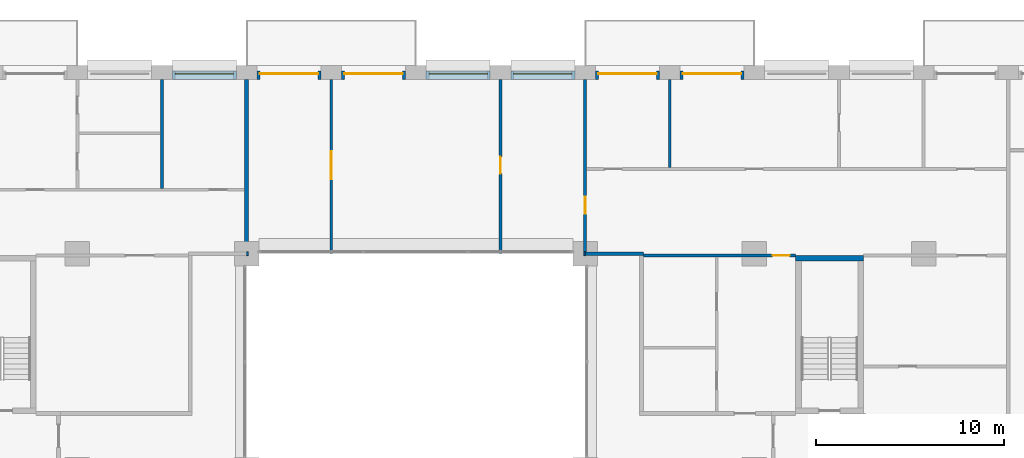
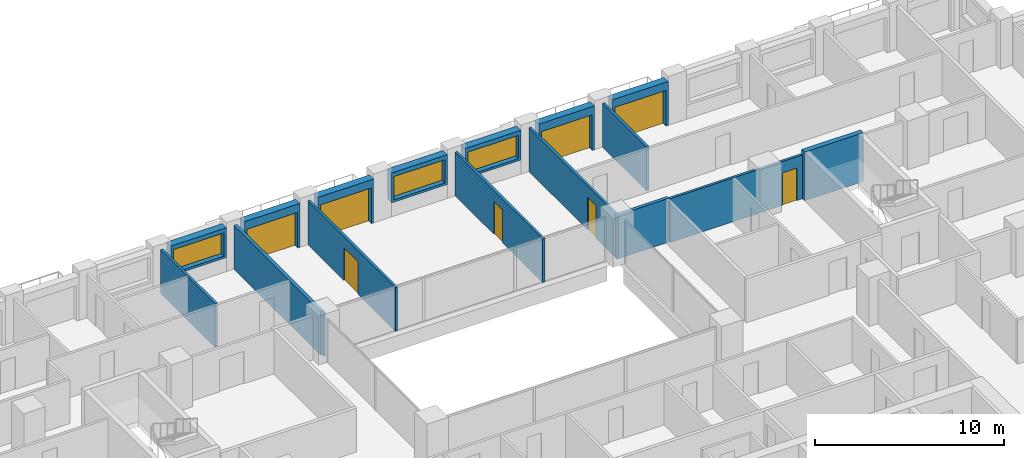
# One storey, part 13 of 16: 18 walls, 8 doors, 3 windows, 11 openings.
"""IFC4 building model written with IfcOpenShell, lengths in metres."""

from ifc_helpers import new_model, si_unit, direction, frame, frame_2d, origin, place, context, subcontext, project, spatial, rectangle, extrude, material, layer, layer_set, type_object, element, fill, save


model = new_model("IFC4")

# Units and contexts
model_context = context("Model", 3, precision=1e-05, world=origin(), true_north=direction((0.0, 1.0)))
body_context = subcontext(model_context, "Body", "Model", "MODEL_VIEW")
ifc_project = project(units=[si_unit("LENGTHUNIT", "METRE"), si_unit("AREAUNIT", "SQUARE_METRE"), si_unit("VOLUMEUNIT", "CUBIC_METRE"), si_unit("PLANEANGLEUNIT", "RADIAN"), si_unit("MASSUNIT", "GRAM", prefix="KILO")], contexts=[model_context])

# Site, building, storey
site_placement = place(None, origin())
site = spatial("IfcSite", under=ifc_project, at=site_placement, CompositionType="ELEMENT")
building_placement = place(site_placement, origin())
building = spatial("IfcBuilding", under=site, at=building_placement, Name="Brigalow Station Residences", CompositionType="ELEMENT")
storey_placement = place(building_placement, frame((0.0, 0.0, 93.0)))
storey = spatial("IfcBuildingStorey", under=building, at=storey_placement, Name="L26", CompositionType="ELEMENT", Elevation=93.0)

# Wall, opening, door
ifc_material_1 = material(Name="Clay brick masonry", Category="masonry")
ifc_layer_1 = layer(ifc_material_1, 0.449951171875)
ifc_layer_set_1 = layer_set([ifc_layer_1], Name="BRICK INFILL WALL 450")
wall_type_1 = type_object("IfcWallType", Name="BRICK INFILL WALL 450", PredefinedType="SOLIDWALL", material=ifc_layer_set_1)
wall_1_placement = place(storey_placement, frame((53.449951171875, 44.97509765625, 0.0), z_axis=(0.0, 0.0, 1.0), x_axis=(-1.0, 0.0, 0.0)))
wall_1 = element("IfcWall", 1, at=wall_1_placement, inside=storey, type_object=wall_type_1, Name="L26/ewall/W-L26-27", PredefinedType="SOLIDWALL", context=body_context, shape_type="SweptSolid", body=[
    extrude(rectangle(XDim=3.39990234375, YDim=0.449951171875, at=frame_2d((1.699951171875, 0.0))), origin(), (0.0, 0.0, 1.0), 2.830078125),
])
opening_1_placement = place(wall_1_placement, frame((0.14990234375, 0.0, 0.0)))
opening_1 = element("IfcOpeningElement", 2, at=opening_1_placement, cuts=wall_1, Name="Opening D-B3100", PredefinedType="OPENING", context=body_context, shape_type="SweptSolid", body=[
    extrude(rectangle(XDim=3.10009765625, YDim=2.300048828125, at=frame_2d((1.550048828125, 1.14990234375))), frame((0.0, 0.23486328125, 0.0), z_axis=(0.0, -1.0, 0.0), x_axis=(1.0, 0.0, 0.0)), (0.0, 0.0, 1.0), 0.469970703125),
])
ifc_material_2 = material(Name="Anodised aluminium frame with double glazing", Category="aluminium")
door_type_1 = type_object("IfcDoorType", Name="BALCONY SLIDING DOOR 3100x2300", OperationType="SLIDING_TO_LEFT", PredefinedType="DOOR", material=ifc_material_2)
door_1_placement = place(opening_1_placement, origin())
door_1 = element("IfcDoor", 3, at=door_1_placement, inside=storey, type_object=door_type_1, Name="L26/balcony-door/W-L26-27", OperationType="SLIDING_TO_LEFT", OverallHeight=2.300048828125, OverallWidth=3.10009765625, PredefinedType="DOOR", context=body_context, shape_type="SweptSolid", body=[
    extrude(rectangle(XDim=3.10009765625, YDim=2.300048828125, at=frame_2d((1.550048828125, 1.14990234375))), frame((0.0, -0.06982421875, 0.0), z_axis=(0.0, -1.0, 0.0), x_axis=(1.0, 0.0, 0.0)), (0.0, 0.0, 1.0), 0.050048828125),
])
fill(opening_1, door_1)

wall_2_placement = place(storey_placement, frame((48.949951171875, 44.97509765625, 0.0), z_axis=(0.0, 0.0, 1.0), x_axis=(-1.0, 0.0, 0.0)))
wall_2 = element("IfcWall", 4, at=wall_2_placement, inside=storey, type_object=wall_type_1, Name="L26/ewall/W-L26-28", PredefinedType="SOLIDWALL", context=body_context, shape_type="SweptSolid", body=[
    extrude(rectangle(XDim=3.39990234375, YDim=0.449951171875, at=frame_2d((1.699951171875, 0.0))), origin(), (0.0, 0.0, 1.0), 2.830078125),
])
opening_2_placement = place(wall_2_placement, frame((0.14990234375, 0.0, 0.0)))
opening_2 = element("IfcOpeningElement", 5, at=opening_2_placement, cuts=wall_2, Name="Opening D-B3100", PredefinedType="OPENING", context=body_context, shape_type="SweptSolid", body=[
    extrude(rectangle(XDim=3.10009765625, YDim=2.300048828125, at=frame_2d((1.550048828125, 1.14990234375))), frame((0.0, 0.23486328125, 0.0), z_axis=(0.0, -1.0, 0.0), x_axis=(1.0, 0.0, 0.0)), (0.0, 0.0, 1.0), 0.469970703125),
])
door_2_placement = place(opening_2_placement, origin())
door_2 = element("IfcDoor", 6, at=door_2_placement, inside=storey, type_object=door_type_1, Name="L26/balcony-door/W-L26-28", OperationType="SLIDING_TO_LEFT", OverallHeight=2.300048828125, OverallWidth=3.10009765625, PredefinedType="DOOR", context=body_context, shape_type="SweptSolid", body=[
    extrude(rectangle(XDim=3.10009765625, YDim=2.300048828125, at=frame_2d((1.550048828125, 1.14990234375))), frame((0.0, -0.06982421875, 0.0), z_axis=(0.0, -1.0, 0.0), x_axis=(1.0, 0.0, 0.0)), (0.0, 0.0, 1.0), 0.050048828125),
])
fill(opening_2, door_2)

# Wall, opening, window
wall_3_placement = place(storey_placement, frame((44.449951171875, 44.97509765625, 0.89990234375), z_axis=(0.0, 0.0, 1.0), x_axis=(-1.0, 0.0, 0.0)))
wall_3 = element("IfcWall", 7, at=wall_3_placement, inside=storey, type_object=wall_type_1, Name="L26/ewall/W-L26-29", PredefinedType="SOLIDWALL", context=body_context, shape_type="SweptSolid", body=[
    extrude(rectangle(XDim=3.39990234375, YDim=0.449951171875, at=frame_2d((1.699951171875, 0.0))), origin(), (0.0, 0.0, 1.0), 1.93017578125),
])
opening_3_placement = place(wall_3_placement, frame((0.14990234375, 0.0, 0.14990234375)))
opening_3 = element("IfcOpeningElement", 8, at=opening_3_placement, cuts=wall_3, Name="Opening WT-8", PredefinedType="OPENING", context=body_context, shape_type="SweptSolid", body=[
    extrude(rectangle(XDim=3.10009765625, YDim=1.5, at=frame_2d((1.550048828125, 0.75))), frame((0.0, 0.23486328125, 0.0), z_axis=(0.0, -1.0, 0.0), x_axis=(1.0, 0.0, 0.0)), (0.0, 0.0, 1.0), 0.469970703125),
])
ifc_material_3 = material(Name="Anodised aluminium frame with double glazing", Category="aluminium")
window_type = type_object("IfcWindowType", Name="WINDOW 3100x1500", PartitioningType="SINGLE_PANEL", PredefinedType="WINDOW", material=ifc_material_3)
window_1_placement = place(opening_3_placement, origin())
window_1 = element("IfcWindow", 9, at=window_1_placement, inside=storey, type_object=window_type, Name="L26/window/W-L26-29", OverallHeight=1.5, OverallWidth=3.10009765625, PartitioningType="SINGLE_PANEL", PredefinedType="WINDOW", context=body_context, shape_type="SweptSolid", body=[
    extrude(rectangle(XDim=3.10009765625, YDim=1.5, at=frame_2d((1.550048828125, 0.75))), frame((0.0, -0.06494140625, 0.0), z_axis=(0.0, -1.0, 0.0), x_axis=(1.0, 0.0, 0.0)), (0.0, 0.0, 1.0), 0.06005859375),
])
fill(opening_3, window_1)

wall_4_placement = place(storey_placement, frame((39.949951171875, 44.97509765625, 0.89990234375), z_axis=(0.0, 0.0, 1.0), x_axis=(-1.0, 0.0, 0.0)))
wall_4 = element("IfcWall", 10, at=wall_4_placement, inside=storey, type_object=wall_type_1, Name="L26/ewall/W-L26-30", PredefinedType="SOLIDWALL", context=body_context, shape_type="SweptSolid", body=[
    extrude(rectangle(XDim=3.39990234375, YDim=0.449951171875, at=frame_2d((1.699951171875, 0.0))), origin(), (0.0, 0.0, 1.0), 1.93017578125),
])
opening_4_placement = place(wall_4_placement, frame((0.14990234375, 0.0, 0.14990234375)))
opening_4 = element("IfcOpeningElement", 11, at=opening_4_placement, cuts=wall_4, Name="Opening WT-8", PredefinedType="OPENING", context=body_context, shape_type="SweptSolid", body=[
    extrude(rectangle(XDim=3.10009765625, YDim=1.5, at=frame_2d((1.550048828125, 0.75))), frame((0.0, 0.23486328125, 0.0), z_axis=(0.0, -1.0, 0.0), x_axis=(1.0, 0.0, 0.0)), (0.0, 0.0, 1.0), 0.469970703125),
])
window_2_placement = place(opening_4_placement, origin())
window_2 = element("IfcWindow", 12, at=window_2_placement, inside=storey, type_object=window_type, Name="L26/window/W-L26-30", OverallHeight=1.5, OverallWidth=3.10009765625, PartitioningType="SINGLE_PANEL", PredefinedType="WINDOW", context=body_context, shape_type="SweptSolid", body=[
    extrude(rectangle(XDim=3.10009765625, YDim=1.5, at=frame_2d((1.550048828125, 0.75))), frame((0.0, -0.06494140625, 0.0), z_axis=(0.0, -1.0, 0.0), x_axis=(1.0, 0.0, 0.0)), (0.0, 0.0, 1.0), 0.06005859375),
])
fill(opening_4, window_2)

# Wall, opening, door
wall_5_placement = place(storey_placement, frame((35.449951171875, 44.97509765625, 0.0), z_axis=(0.0, 0.0, 1.0), x_axis=(-1.0, 0.0, 0.0)))
wall_5 = element("IfcWall", 13, at=wall_5_placement, inside=storey, type_object=wall_type_1, Name="L26/ewall/W-L26-31", PredefinedType="SOLIDWALL", context=body_context, shape_type="SweptSolid", body=[
    extrude(rectangle(XDim=3.39990234375, YDim=0.449951171875, at=frame_2d((1.699951171875, 0.0))), origin(), (0.0, 0.0, 1.0), 2.830078125),
])
opening_5_placement = place(wall_5_placement, frame((0.14990234375, 0.0, 0.0)))
opening_5 = element("IfcOpeningElement", 14, at=opening_5_placement, cuts=wall_5, Name="Opening D-B3100", PredefinedType="OPENING", context=body_context, shape_type="SweptSolid", body=[
    extrude(rectangle(XDim=3.10009765625, YDim=2.300048828125, at=frame_2d((1.550048828125, 1.14990234375))), frame((0.0, 0.23486328125, 0.0), z_axis=(0.0, -1.0, 0.0), x_axis=(1.0, 0.0, 0.0)), (0.0, 0.0, 1.0), 0.469970703125),
])
door_3_placement = place(opening_5_placement, origin())
door_3 = element("IfcDoor", 15, at=door_3_placement, inside=storey, type_object=door_type_1, Name="L26/balcony-door/W-L26-31", OperationType="SLIDING_TO_LEFT", OverallHeight=2.300048828125, OverallWidth=3.10009765625, PredefinedType="DOOR", context=body_context, shape_type="SweptSolid", body=[
    extrude(rectangle(XDim=3.10009765625, YDim=2.300048828125, at=frame_2d((1.550048828125, 1.14990234375))), frame((0.0, -0.06982421875, 0.0), z_axis=(0.0, -1.0, 0.0), x_axis=(1.0, 0.0, 0.0)), (0.0, 0.0, 1.0), 0.050048828125),
])
fill(opening_5, door_3)

wall_6_placement = place(storey_placement, frame((30.949951171875, 44.97509765625, 0.0), z_axis=(0.0, 0.0, 1.0), x_axis=(-1.0, 0.0, 0.0)))
wall_6 = element("IfcWall", 16, at=wall_6_placement, inside=storey, type_object=wall_type_1, Name="L26/ewall/W-L26-32", PredefinedType="SOLIDWALL", context=body_context, shape_type="SweptSolid", body=[
    extrude(rectangle(XDim=3.39990234375, YDim=0.449951171875, at=frame_2d((1.699951171875, 0.0))), origin(), (0.0, 0.0, 1.0), 2.830078125),
])
opening_6_placement = place(wall_6_placement, frame((0.14990234375, 0.0, 0.0)))
opening_6 = element("IfcOpeningElement", 17, at=opening_6_placement, cuts=wall_6, Name="Opening D-B3100", PredefinedType="OPENING", context=body_context, shape_type="SweptSolid", body=[
    extrude(rectangle(XDim=3.10009765625, YDim=2.300048828125, at=frame_2d((1.550048828125, 1.14990234375))), frame((0.0, 0.23486328125, 0.0), z_axis=(0.0, -1.0, 0.0), x_axis=(1.0, 0.0, 0.0)), (0.0, 0.0, 1.0), 0.469970703125),
])
door_4_placement = place(opening_6_placement, origin())
door_4 = element("IfcDoor", 18, at=door_4_placement, inside=storey, type_object=door_type_1, Name="L26/balcony-door/W-L26-32", OperationType="SLIDING_TO_LEFT", OverallHeight=2.300048828125, OverallWidth=3.10009765625, PredefinedType="DOOR", context=body_context, shape_type="SweptSolid", body=[
    extrude(rectangle(XDim=3.10009765625, YDim=2.300048828125, at=frame_2d((1.550048828125, 1.14990234375))), frame((0.0, -0.06982421875, 0.0), z_axis=(0.0, -1.0, 0.0), x_axis=(1.0, 0.0, 0.0)), (0.0, 0.0, 1.0), 0.050048828125),
])
fill(opening_6, door_4)

# Wall, opening, window
wall_7_placement = place(storey_placement, frame((26.449951171875, 44.97509765625, 0.89990234375), z_axis=(0.0, 0.0, 1.0), x_axis=(-1.0, 0.0, 0.0)))
wall_7 = element("IfcWall", 19, at=wall_7_placement, inside=storey, type_object=wall_type_1, Name="L26/ewall/W-L26-33", PredefinedType="SOLIDWALL", context=body_context, shape_type="SweptSolid", body=[
    extrude(rectangle(XDim=3.39990234375, YDim=0.449951171875, at=frame_2d((1.699951171875, 0.0))), origin(), (0.0, 0.0, 1.0), 1.93017578125),
])
opening_7_placement = place(wall_7_placement, frame((0.14990234375, 0.0, 0.14990234375)))
opening_7 = element("IfcOpeningElement", 20, at=opening_7_placement, cuts=wall_7, Name="Opening WT-8", PredefinedType="OPENING", context=body_context, shape_type="SweptSolid", body=[
    extrude(rectangle(XDim=3.10009765625, YDim=1.5, at=frame_2d((1.550048828125, 0.75))), frame((0.0, 0.23486328125, 0.0), z_axis=(0.0, -1.0, 0.0), x_axis=(1.0, 0.0, 0.0)), (0.0, 0.0, 1.0), 0.469970703125),
])
window_3_placement = place(opening_7_placement, origin())
window_3 = element("IfcWindow", 21, at=window_3_placement, inside=storey, type_object=window_type, Name="L26/window/W-L26-33", OverallHeight=1.5, OverallWidth=3.10009765625, PartitioningType="SINGLE_PANEL", PredefinedType="WINDOW", context=body_context, shape_type="SweptSolid", body=[
    extrude(rectangle(XDim=3.10009765625, YDim=1.5, at=frame_2d((1.550048828125, 0.75))), frame((0.0, -0.06494140625, 0.0), z_axis=(0.0, -1.0, 0.0), x_axis=(1.0, 0.0, 0.0)), (0.0, 0.0, 1.0), 0.06005859375),
])
fill(opening_7, window_3)

# Wall
ifc_material_4 = material(Name="Concrete C65", Category="concrete")
ifc_layer_2 = layer(ifc_material_4, 0.300048828125)
ifc_layer_set_2 = layer_set([ifc_layer_2], Name="CORE SHEAR WALL 300 C65")
wall_type_2 = type_object("IfcWallType", Name="CORE SHEAR WALL 300 C65", PredefinedType="SHEAR", material=ifc_layer_set_2)
wall_8_placement = place(storey_placement, frame((56.199951171875, 35.25, 0.0), z_axis=(0.0, 0.0, 1.0), x_axis=(1.0, 0.0, 0.0)))
element("IfcWall", 22, at=wall_8_placement, inside=storey, type_object=wall_type_2, Name="CORE WALL ST-S3-N L26", PredefinedType="SHEAR", context=body_context, shape_type="SweptSolid", body=[
    extrude(rectangle(XDim=3.60009765625, YDim=0.300048828125, at=frame_2d((1.800048828125, 0.0))), origin(), (0.0, 0.0, 1.0), 3.14990234375),
])

# Wall, opening, door
ifc_material_5 = material(Name="Plasterboard on steel stud partition", Category="steel")
ifc_layer_3 = layer(ifc_material_5, 0.14990234375)
ifc_layer_set_3 = layer_set([ifc_layer_3], Name="FLAT PARTITION 150")
wall_type_3 = type_object("IfcWallType", Name="FLAT PARTITION 150", PredefinedType="PARTITIONING", material=ifc_layer_set_3)
wall_9_placement = place(storey_placement, frame((48.10009765625, 35.39990234375, 0.0), z_axis=(0.0, 0.0, 1.0), x_axis=(1.0, 0.0, 0.0)))
wall_9 = element("IfcWall", 23, at=wall_9_placement, inside=storey, type_object=wall_type_3, Name="PW-2B28", PredefinedType="PARTITIONING", context=body_context, shape_type="SweptSolid", body=[
    extrude(rectangle(XDim=8.099853515625, YDim=0.14990234375, at=frame_2d((4.0498046875, 0.0))), origin(), (0.0, 0.0, 1.0), 2.830078125),
])
opening_8_placement = place(wall_9_placement, frame((6.875, 0.0, 0.0)))
opening_8 = element("IfcOpeningElement", 24, at=opening_8_placement, cuts=wall_9, Name="Opening D-2B23", PredefinedType="OPENING", context=body_context, shape_type="SweptSolid", body=[
    extrude(rectangle(XDim=0.89990234375, YDim=2.10009765625, at=frame_2d((0.449951171875, 1.050048828125))), frame((0.0, 0.0849609375, 0.0), z_axis=(0.0, -1.0, 0.0), x_axis=(1.0, 0.0, 0.0)), (0.0, 0.0, 1.0), 0.169921875),
])
ifc_material_6 = material(Name="Solid-core timber door leaf", Category="wood")
door_type_2 = type_object("IfcDoorType", Name="INTERNAL DOOR 900 x 2100", OperationType="SINGLE_SWING_LEFT", PredefinedType="DOOR", material=ifc_material_6)
door_5_placement = place(opening_8_placement, frame((0.89990234375, 0.0, 0.0), z_axis=(0.0, 0.0, 1.0), x_axis=(-1.0, 0.0, 0.0)))
door_5 = element("IfcDoor", 25, at=door_5_placement, inside=storey, type_object=door_type_2, Name="D-2B23", OperationType="SINGLE_SWING_LEFT", OverallHeight=2.10009765625, OverallWidth=0.89990234375, PredefinedType="DOOR", context=body_context, shape_type="SweptSolid", body=[
    extrude(rectangle(XDim=0.89990234375, YDim=2.10009765625, at=frame_2d((0.449951171875, 1.050048828125))), frame((0.0, 0.02490234375, 0.0), z_axis=(0.0, -1.0, 0.0), x_axis=(1.0, 0.0, 0.0)), (0.0, 0.0, 1.0), 0.050048828125),
])
fill(opening_8, door_5)

# Wall
wall_10_placement = place(storey_placement, frame((22.5, 38.97509765625, 0.0), z_axis=(0.0, 0.0, 1.0), x_axis=(0.0, 1.0, 0.0)))
element("IfcWall", 26, at=wall_10_placement, inside=storey, type_object=wall_type_3, Name="PW-2B52", PredefinedType="PARTITIONING", context=body_context, shape_type="SweptSolid", body=[
    extrude(rectangle(XDim=5.77490234375, YDim=0.14990234375, at=frame_2d((2.887451171875, 0.0))), origin(), (0.0, 0.0, 1.0), 2.830078125),
])

# Wall, opening, door
wall_11_placement = place(storey_placement, frame((31.5, 35.5, 0.0), z_axis=(0.0, 0.0, 1.0), x_axis=(0.0, 1.0, 0.0)))
wall_11 = element("IfcWall", 27, at=wall_11_placement, inside=storey, type_object=wall_type_3, Name="PW-2B54", PredefinedType="PARTITIONING", context=body_context, shape_type="SweptSolid", body=[
    extrude(rectangle(XDim=9.25, YDim=0.14990234375, at=frame_2d((4.625, 0.0))), origin(), (0.0, 0.0, 1.0), 2.830078125),
])
opening_9_placement = place(wall_11_placement, frame((3.949951171875, 0.0, 0.0)))
opening_9 = element("IfcOpeningElement", 28, at=opening_9_placement, cuts=wall_11, Name="Opening D-2B26", PredefinedType="OPENING", context=body_context, shape_type="SweptSolid", body=[
    extrude(rectangle(XDim=1.5, YDim=2.10009765625, at=frame_2d((0.75, 1.050048828125))), frame((0.0, 0.0849609375, 0.0), z_axis=(0.0, -1.0, 0.0), x_axis=(1.0, 0.0, 0.0)), (0.0, 0.0, 1.0), 0.169921875),
])
ifc_material_7 = material(Name="Solid-core timber door leaf", Category="wood")
door_type_3 = type_object("IfcDoorType", Name="INTERNAL DOUBLE DOOR 1500 x 2100", OperationType="DOUBLE_DOOR_SINGLE_SWING", PredefinedType="DOOR", material=ifc_material_7)
door_6_placement = place(opening_9_placement, origin())
door_6 = element("IfcDoor", 29, at=door_6_placement, inside=storey, type_object=door_type_3, Name="D-2B26", OperationType="DOUBLE_DOOR_SINGLE_SWING", OverallHeight=2.10009765625, OverallWidth=1.5, PredefinedType="DOOR", context=body_context, shape_type="SweptSolid", body=[
    extrude(rectangle(XDim=1.5, YDim=2.10009765625, at=frame_2d((0.75, 1.050048828125))), frame((0.0, 0.02490234375, 0.0), z_axis=(0.0, -1.0, 0.0), x_axis=(1.0, 0.0, 0.0)), (0.0, 0.0, 1.0), 0.050048828125),
])
fill(opening_9, door_6)

wall_12_placement = place(storey_placement, frame((40.5, 35.5, 0.0), z_axis=(0.0, 0.0, 1.0), x_axis=(0.0, 1.0, 0.0)))
wall_12 = element("IfcWall", 30, at=wall_12_placement, inside=storey, type_object=wall_type_3, Name="PW-2B55", PredefinedType="PARTITIONING", context=body_context, shape_type="SweptSolid", body=[
    extrude(rectangle(XDim=9.25, YDim=0.14990234375, at=frame_2d((4.625, 0.0))), origin(), (0.0, 0.0, 1.0), 2.830078125),
])
opening_10_placement = place(wall_12_placement, frame((4.25, 0.0, 0.0)))
opening_10 = element("IfcOpeningElement", 31, at=opening_10_placement, cuts=wall_12, Name="Opening D-2B25", PredefinedType="OPENING", context=body_context, shape_type="SweptSolid", body=[
    extrude(rectangle(XDim=0.89990234375, YDim=2.10009765625, at=frame_2d((0.449951171875, 1.050048828125))), frame((0.0, 0.0849609375, 0.0), z_axis=(0.0, -1.0, 0.0), x_axis=(1.0, 0.0, 0.0)), (0.0, 0.0, 1.0), 0.169921875),
])
door_7_placement = place(opening_10_placement, frame((0.89990234375, 0.0, 0.0), z_axis=(0.0, 0.0, 1.0), x_axis=(-1.0, 0.0, 0.0)))
door_7 = element("IfcDoor", 32, at=door_7_placement, inside=storey, type_object=door_type_2, Name="D-2B25", OperationType="SINGLE_SWING_LEFT", OverallHeight=2.10009765625, OverallWidth=0.89990234375, PredefinedType="DOOR", context=body_context, shape_type="SweptSolid", body=[
    extrude(rectangle(XDim=0.89990234375, YDim=2.10009765625, at=frame_2d((0.449951171875, 1.050048828125))), frame((0.0, 0.02490234375, 0.0), z_axis=(0.0, -1.0, 0.0), x_axis=(1.0, 0.0, 0.0)), (0.0, 0.0, 1.0), 0.050048828125),
])
fill(opening_10, door_7)

wall_13_placement = place(storey_placement, frame((45.0, 35.60009765625, 0.0), z_axis=(0.0, 0.0, 1.0), x_axis=(0.0, 1.0, 0.0)))
wall_13 = element("IfcWall", 33, at=wall_13_placement, inside=storey, type_object=wall_type_3, Name="PW-2B56", PredefinedType="PARTITIONING", context=body_context, shape_type="SweptSolid", body=[
    extrude(rectangle(XDim=9.14990234375, YDim=0.14990234375, at=frame_2d((4.574951171875, 0.0))), origin(), (0.0, 0.0, 1.0), 2.830078125),
])
opening_11_placement = place(wall_13_placement, frame((2.02490234375, 0.0, 0.0)))
opening_11 = element("IfcOpeningElement", 34, at=opening_11_placement, cuts=wall_13, Name="Opening D-2B24", PredefinedType="OPENING", context=body_context, shape_type="SweptSolid", body=[
    extrude(rectangle(XDim=0.89990234375, YDim=2.10009765625, at=frame_2d((0.449951171875, 1.050048828125))), frame((0.0, 0.0849609375, 0.0), z_axis=(0.0, -1.0, 0.0), x_axis=(1.0, 0.0, 0.0)), (0.0, 0.0, 1.0), 0.169921875),
])
door_8_placement = place(opening_11_placement, origin())
door_8 = element("IfcDoor", 35, at=door_8_placement, inside=storey, type_object=door_type_2, Name="D-2B24", OperationType="SINGLE_SWING_LEFT", OverallHeight=2.10009765625, OverallWidth=0.89990234375, PredefinedType="DOOR", context=body_context, shape_type="SweptSolid", body=[
    extrude(rectangle(XDim=0.89990234375, YDim=2.10009765625, at=frame_2d((0.449951171875, 1.050048828125))), frame((0.0, 0.02490234375, 0.0), z_axis=(0.0, -1.0, 0.0), x_axis=(1.0, 0.0, 0.0)), (0.0, 0.0, 1.0), 0.050048828125),
])
fill(opening_11, door_8)

# Walls
wall_14_placement = place(storey_placement, frame((49.5, 40.074951171875, 0.0), z_axis=(0.0, 0.0, 1.0), x_axis=(0.0, 1.0, 0.0)))
element("IfcWall", 36, at=wall_14_placement, inside=storey, type_object=wall_type_3, Name="PW-2B59", PredefinedType="PARTITIONING", context=body_context, shape_type="SweptSolid", body=[
    extrude(rectangle(XDim=4.675048828125, YDim=0.14990234375, at=frame_2d((2.33740234375, 0.0))), origin(), (0.0, 0.0, 1.0), 2.830078125),
])
ifc_material_8 = material(Name="Plasterboard on steel stud partition", Category="steel")
ifc_layer_4 = layer(ifc_material_8, 0.199951171875)
ifc_layer_set_4 = layer_set([ifc_layer_4], Name="PARTY AND CORRIDOR WALL 200")
wall_type_4 = type_object("IfcWallType", Name="PARTY AND CORRIDOR WALL 200", PredefinedType="PARTITIONING", material=ifc_layer_set_4)
wall_15_placement = place(storey_placement, frame((27.0, 35.5, 0.0), z_axis=(0.0, 0.0, 1.0), x_axis=(1.0, 0.0, 0.0)))
element("IfcWall", 37, at=wall_15_placement, inside=storey, type_object=wall_type_4, Name="PW-2B08", PredefinedType="PARTITIONING", context=body_context, shape_type="SweptSolid", body=[
    extrude(rectangle(XDim=0.10009765625, YDim=0.199951171875, at=frame_2d((0.050048828125, 0.0))), origin(), (0.0, 0.0, 1.0), 2.830078125),
])
wall_16_placement = place(storey_placement, frame((44.925048828125, 35.5, 0.0), z_axis=(0.0, 0.0, 1.0), x_axis=(1.0, 0.0, 0.0)))
element("IfcWall", 38, at=wall_16_placement, inside=storey, type_object=wall_type_4, Name="PW-2B09", PredefinedType="PARTITIONING", context=body_context, shape_type="SweptSolid", body=[
    extrude(rectangle(XDim=0.074951171875, YDim=0.199951171875, at=frame_2d((0.03759765625, 0.0))), origin(), (0.0, 0.0, 1.0), 2.830078125),
])
wall_17_placement = place(storey_placement, frame((45.0, 35.5, 0.0), z_axis=(0.0, 0.0, 1.0), x_axis=(1.0, 0.0, 0.0)))
element("IfcWall", 39, at=wall_17_placement, inside=storey, type_object=wall_type_4, Name="PW-2B10", PredefinedType="PARTITIONING", context=body_context, shape_type="SweptSolid", body=[
    extrude(rectangle(XDim=3.10009765625, YDim=0.199951171875, at=frame_2d((1.550048828125, 0.0))), origin(), (0.0, 0.0, 1.0), 2.830078125),
])
wall_18_placement = place(storey_placement, frame((27.0, 35.60009765625, 0.0), z_axis=(0.0, 0.0, 1.0), x_axis=(0.0, 1.0, 0.0)))
element("IfcWall", 40, at=wall_18_placement, inside=storey, type_object=wall_type_4, Name="PW-2B51", PredefinedType="PARTITIONING", context=body_context, shape_type="SweptSolid", body=[
    extrude(rectangle(XDim=9.14990234375, YDim=0.199951171875, at=frame_2d((4.574951171875, 0.0))), origin(), (0.0, 0.0, 1.0), 2.830078125),
])

save(model, "model.ifc")
